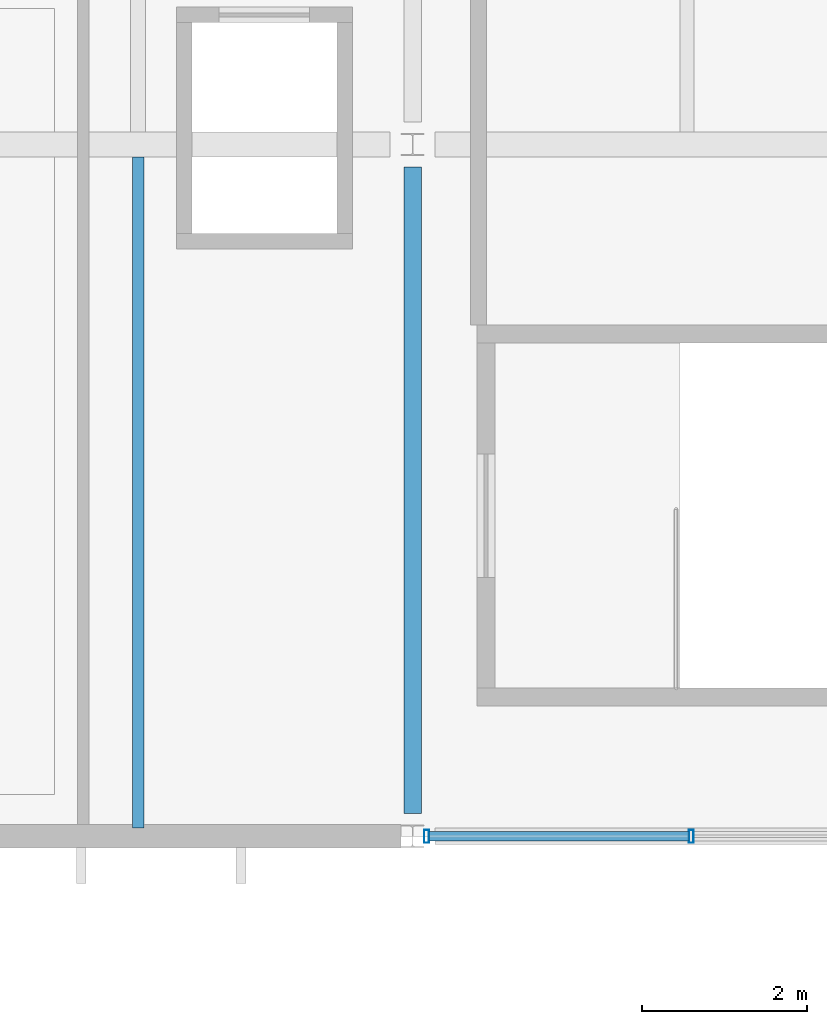
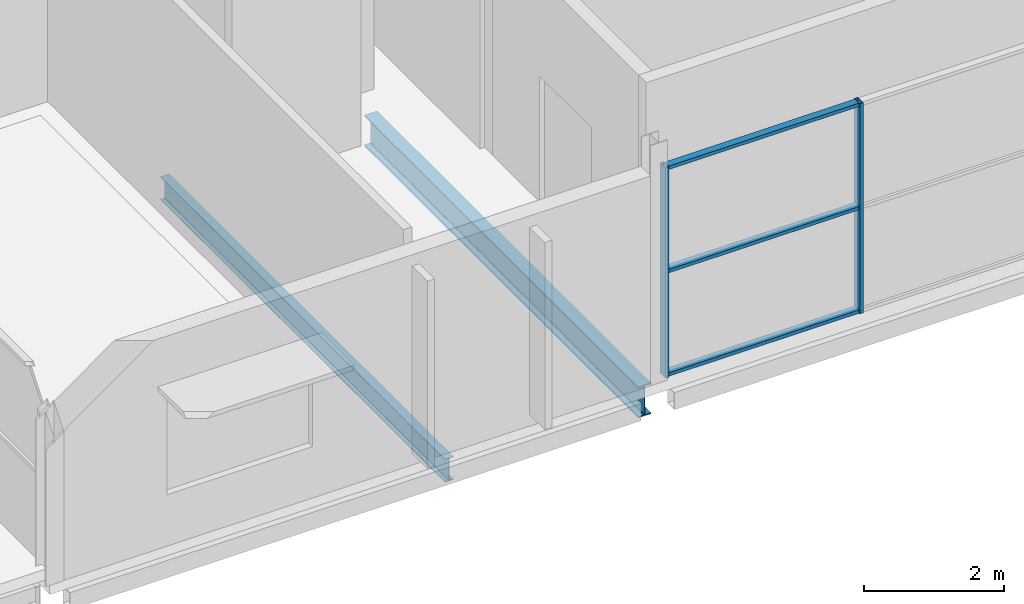
# One storey, part 91 of 161: 5 members, 2 beams, 1 element without a shape of its own.
"""IFC4 building model written with IfcOpenShell, lengths in metres."""

import ifcopenshell
import ifcopenshell.guid

model = None  # the IFC model being written
_history = None  # IfcOwnerHistory: only IFC2X3 demands one
_inside = {}  # id of a spatial element -> (the spatial element, [elements in it])
_under = {}  # id of a project, library or spatial element -> (it, [spatial elements below it])
_declared = {}  # id of a project -> (the project, [libraries it declares])
_typed = {}  # id of a type object -> (the type object, [elements of that type])
_made_of = {}  # id of a material, layer set ... -> (it, [elements and type objects made of it])


def new_model(schema):
    """Start an empty IFC model of exactly this schema.

    Asked for "IFC4X3", IfcOpenShell would pick the latest addendum, in which some entities
    have other attributes; the version numbers below select the first issue.
    IFC2X3 requires an IfcOwnerHistory on every rooted entity: one is made here for all.
    """
    global model, _history
    if schema == "IFC4X3":
        model = ifcopenshell.file(schema_version=(4, 3, 0, 0))
    else:
        model = ifcopenshell.file(schema=schema)
    _inside.clear()
    _under.clear()
    _declared.clear()
    _typed.clear()
    _made_of.clear()
    _history = None
    if model.schema == "IFC2X3":
        org = make("IfcOrganization", Name="unknown")
        user = make(
            "IfcPersonAndOrganization",
            ThePerson=make("IfcPerson", FamilyName="unknown"),
            TheOrganization=org,
        )
        app = make(
            "IfcApplication",
            ApplicationDeveloper=org,
            Version="unknown",
            ApplicationFullName="unknown",
            ApplicationIdentifier="unknown",
        )
        _history = make(
            "IfcOwnerHistory",
            OwningUser=user,
            OwningApplication=app,
            ChangeAction="ADDED",
            CreationDate=0,
        )
    return model


def make(cls, **values):
    """One entity of the class cls with the attributes given. An attribute that is None is left unset."""
    return model.create_entity(
        cls, **{name: value for name, value in values.items() if value is not None}
    )


def rooted(cls, **values):
    """An entity with a GlobalId (a new one), such as an element, a storey or a relation."""
    return make(cls, GlobalId=ifcopenshell.guid.new(), OwnerHistory=_history, **values)


def si_unit(unit_type, name, prefix=None):
    """IfcSIUnit, for example si_unit("LENGTHUNIT", "METRE", prefix="MILLI")."""
    return make("IfcSIUnit", UnitType=unit_type, Prefix=prefix, Name=name)


def assignment(units):
    """IfcUnitAssignment: the units of a project."""
    return None if units is None else make("IfcUnitAssignment", Units=units)


def point(xyz):
    """IfcCartesianPoint."""
    return None if xyz is None else make("IfcCartesianPoint", Coordinates=xyz)


def direction(xyz):
    """IfcDirection."""
    return None if xyz is None else make("IfcDirection", DirectionRatios=xyz)


def frame(location, z_axis=None, x_axis=None):
    """IfcAxis2Placement3D, a coordinate frame: its origin and axes. An axis left out is left unset."""
    return make(
        "IfcAxis2Placement3D",
        Location=point(location),
        Axis=direction(z_axis),
        RefDirection=direction(x_axis),
    )


def frame_2d(location, x_axis=None):
    """IfcAxis2Placement2D, a coordinate frame in the plane: its origin and x axis."""
    return make(
        "IfcAxis2Placement2D", Location=point(location), RefDirection=direction(x_axis)
    )


def origin():
    """The frame at (0, 0, 0) with its axes left unset."""
    return frame((0.0, 0.0, 0.0))


def origin_2d():
    """The frame at (0, 0) in the plane with its x axis left unset."""
    return frame_2d((0.0, 0.0))


def place(relative_to, where):
    """IfcLocalPlacement: puts the frame where relative to a parent placement (None: the world)."""
    return make(
        "IfcLocalPlacement", PlacementRelTo=relative_to, RelativePlacement=where
    )


def context(
    kind, dimensions, precision=None, world=None, true_north=None, identifier=None
):
    """IfcGeometricRepresentationContext, for example the 3D "Model" context."""
    return make(
        "IfcGeometricRepresentationContext",
        ContextIdentifier=identifier,
        ContextType=kind,
        CoordinateSpaceDimension=dimensions,
        Precision=precision,
        WorldCoordinateSystem=world,
        TrueNorth=true_north,
    )


def subcontext(parent, identifier, kind, view, scale=None):
    """IfcGeometricRepresentationSubContext, for example "Body" below "Model"."""
    return make(
        "IfcGeometricRepresentationSubContext",
        ContextIdentifier=identifier,
        ContextType=kind,
        ParentContext=parent,
        TargetScale=scale,
        TargetView=view,
    )


def project(units=None, contexts=None):
    """IfcProject with its units and contexts."""
    return rooted(
        "IfcProject",
        Name="project",
        RepresentationContexts=contexts,
        UnitsInContext=assignment(units),
    )


def spatial(cls, under=None, at=None, **own):
    """A site, building, storey or space (cls), placed at a placement, below another one or the project."""
    s = rooted(cls, ObjectPlacement=at, **own)
    if under is not None:
        _under.setdefault(under.id(), (under, []))[1].append(s)
    return s


def profile(cls, at=None, kind="AREA", **sizes):
    """A parametric profile (cls). Its sizes go by their IFC names, for example OverallWidth=200.0."""
    return make(cls, ProfileType=kind, Position=at, **sizes)


def hollow_rectangle(**sizes):
    """IfcRectangleHollowProfileDef."""
    return profile("IfcRectangleHollowProfileDef", **sizes)


def i_section(**sizes):
    """IfcIShapeProfileDef."""
    return profile("IfcIShapeProfileDef", **sizes)


def extrude(swept, where, along, depth):
    """IfcExtrudedAreaSolid: the profile swept, set in the frame where, extruded along a direction by depth."""
    return make(
        "IfcExtrudedAreaSolid",
        SweptArea=swept,
        Position=where,
        ExtrudedDirection=direction(along),
        Depth=depth,
    )


def shape(context_of_items, identifier, shape_type, items):
    """IfcShapeRepresentation: the items that make up one representation, for example the "Body"."""
    return make(
        "IfcShapeRepresentation",
        ContextOfItems=context_of_items,
        RepresentationIdentifier=identifier,
        RepresentationType=shape_type,
        Items=items,
    )


def material(Name=None, Category=None):
    """IfcMaterial."""
    return make("IfcMaterial", Name=Name, Category=Category)


def material_profile(
    of_material, cross_section, Name=None, Category=None, Priority=None
):
    """IfcMaterialProfile: a cross section and its material."""
    return make(
        "IfcMaterialProfile",
        Name=Name,
        Material=of_material,
        Profile=cross_section,
        Priority=Priority,
        Category=Category,
    )


def profile_set(profiles, Name=None, composite=None):
    """IfcMaterialProfileSet."""
    return make(
        "IfcMaterialProfileSet",
        Name=Name,
        MaterialProfiles=profiles,
        CompositeProfile=composite,
    )


def made_of(thing, what):
    """Note that an element or type object is made of a material, layer set ...; save() writes the relation."""
    if what is not None:
        _made_of.setdefault(what.id(), (what, []))[1].append(thing)
    return thing


def type_object(cls, material=None, **own):
    """A type object (cls), such as IfcWallType, which elements share."""
    return made_of(rooted(cls, **own), material)


def element(
    cls,
    number,
    at=None,
    inside=None,
    cuts=None,
    type_object=None,
    material=None,
    context=None,
    identifier="Body",
    shape_type=None,
    held_by="IfcProductDefinitionShape",
    body=None,
    shapes=None,
    **own,
):
    """One element of the class cls, such as IfcWall. Its Tag is "e" and its number.

    at: its placement. inside: the storey or other place that contains it. cuts: it is an
    opening in that element (IfcRelVoidsElement). A single representation is given by context,
    identifier, shape_type and body (its items); several are given by shapes. held_by: the class
    of the entity that holds the representations. save() writes the other relations.
    """
    e = rooted(cls, Tag="e%d" % number, ObjectPlacement=at, **own)
    if body is not None:
        shapes = [shape(context, identifier, shape_type, body)]
    if shapes is not None:
        e.Representation = make(held_by, Representations=shapes)
    if inside is not None:
        _inside.setdefault(inside.id(), (inside, []))[1].append(e)
    if cuts is not None:
        rooted(
            "IfcRelVoidsElement", RelatingBuildingElement=cuts, RelatedOpeningElement=e
        )
    if type_object is not None:
        _typed.setdefault(type_object.id(), (type_object, []))[1].append(e)
    return made_of(e, material)


def aggregate(whole, parts):
    """IfcRelAggregates: a whole, such as a stair, and the parts it consists of."""
    return rooted("IfcRelAggregates", RelatingObject=whole, RelatedObjects=parts)


def save(model, path):
    """Write the relations noted so far, then the file.

    IfcRelAggregates (storeys below a building ...), IfcRelContainedInSpatialStructure (elements
    in a storey), IfcRelDefinesByType, IfcRelAssociatesMaterial and IfcRelDeclares: one each for
    every whole, place, type object, material and project.
    """
    for whole, parts in _under.values():
        aggregate(whole, parts)
    for where, things in _inside.values():
        rooted(
            "IfcRelContainedInSpatialStructure",
            RelatedElements=things,
            RelatingStructure=where,
        )
    for kind, things in _typed.values():
        rooted("IfcRelDefinesByType", RelatedObjects=things, RelatingType=kind)
    for what, things in _made_of.values():
        rooted("IfcRelAssociatesMaterial", RelatedObjects=things, RelatingMaterial=what)
    for by, libraries in _declared.values():
        rooted("IfcRelDeclares", RelatingContext=by, RelatedDefinitions=libraries)
    model.write(path)


model = new_model("IFC4")

# Units and contexts
model_context = context("Model", 3, precision=1e-05, world=origin(), true_north=direction((0.0, 1.0)))
body_context = subcontext(model_context, "Body", "Model", "MODEL_VIEW")
ifc_project = project(units=[si_unit("LENGTHUNIT", "METRE"), si_unit("AREAUNIT", "SQUARE_METRE"), si_unit("VOLUMEUNIT", "CUBIC_METRE"), si_unit("PLANEANGLEUNIT", "RADIAN"), si_unit("MASSUNIT", "GRAM", prefix="KILO"), si_unit("THERMODYNAMICTEMPERATUREUNIT", "KELVIN")], contexts=[model_context])

# Site, building, storey
site_placement = place(None, origin())
site = spatial("IfcSite", under=ifc_project, at=site_placement, CompositionType="ELEMENT")
building_placement = place(site_placement, origin())
building = spatial("IfcBuilding", under=site, at=building_placement, Name="Nduvali Passage Aquatics Centre", CompositionType="ELEMENT")
storey_placement = place(building_placement, frame((0.0, 0.0, 4.800048828125)))
storey = spatial("IfcBuildingStorey", under=building, at=storey_placement, Name="L01", CompositionType="ELEMENT", Elevation=4.800048828125)

# Curtain wall, members
ifc_material_1 = material(Name="Aluminium EN AW-6063 T6", Category="aluminium")
curtain_wall_type = type_object("IfcCurtainWallType", Name="ENV-CW-PASS", PredefinedType="NOTDEFINED", material=ifc_material_1)
curtain_wall_placement = place(storey_placement, origin())
curtain_wall = element("IfcCurtainWall", 1, at=curtain_wall_placement, inside=storey, type_object=curtain_wall_type, Name="L01 South Pavilion Upper CW 092", PredefinedType="NOTDEFINED")
ifc_material_profile_1 = material_profile(ifc_material_1, hollow_rectangle(XDim=0.06005859375, YDim=0.159912109375, WallThickness=0.00390625, at=origin_2d()), Name="ALU MULLION 60x160x4")
ifc_profile_set_1 = profile_set([ifc_material_profile_1], Name="Aluminium EN AW-6063 T6")
member_type_1 = type_object("IfcMemberType", Name="ENV-MEM-MUL60", PredefinedType="MULLION", material=ifc_profile_set_1)
member_1_placement = place(storey_placement, frame((148.169921875, 25.199951171875, 0.0), z_axis=(0.0, 0.0, 1.0), x_axis=(1.0, 0.0, 0.0)))
member_1 = element("IfcMember", 2, at=member_1_placement, type_object=member_type_1, Name="South Pavilion Upper CW Mullion 1", PredefinedType="MULLION", context=body_context, shape_type="SweptSolid", body=[
    extrude(hollow_rectangle(XDim=0.06005859375, YDim=0.159912109375, WallThickness=0.00390625, at=origin_2d()), origin(), (0.0, 0.0, 1.0), 3.676025390625),
])
member_2_placement = place(storey_placement, frame((151.384033203125, 25.199951171875, 0.0), z_axis=(0.0, 0.0, 1.0), x_axis=(1.0, 0.0, 0.0)))
member_2 = element("IfcMember", 3, at=member_2_placement, type_object=member_type_1, Name="South Pavilion Upper CW Mullion 2", PredefinedType="MULLION", context=body_context, shape_type="SweptSolid", body=[
    extrude(hollow_rectangle(XDim=0.06005859375, YDim=0.159912109375, WallThickness=0.00390625, at=origin_2d()), origin(), (0.0, 0.0, 1.0), 3.676025390625),
])
ifc_material_profile_2 = material_profile(ifc_material_1, hollow_rectangle(XDim=0.1201171875, YDim=0.06005859375, WallThickness=0.00390625, at=origin_2d()), Name="ALU TRANSOM 120x60x4")
ifc_profile_set_2 = profile_set([ifc_material_profile_2], Name="Aluminium EN AW-6063 T6")
member_type_2 = type_object("IfcMemberType", Name="ENV-MEM-TRN60", PredefinedType="USERDEFINED", material=ifc_profile_set_2)
member_3_placement = place(storey_placement, frame((148.199951171875, 25.199951171875, 0.030029296875), z_axis=(1.0, 0.0, 0.0), x_axis=(0.0, 1.0, 0.0)))
member_3 = element("IfcMember", 4, at=member_3_placement, type_object=member_type_2, Name="South Pavilion Upper CW Transom B1-R0", ObjectType="TRANSOM", PredefinedType="USERDEFINED", context=body_context, shape_type="SweptSolid", body=[
    extrude(hollow_rectangle(XDim=0.1201171875, YDim=0.06005859375, WallThickness=0.00390625, at=origin_2d()), origin(), (0.0, 0.0, 1.0), 3.154052734375),
])
member_4_placement = place(storey_placement, frame((148.199951171875, 25.199951171875, 1.837890625), z_axis=(1.0, 0.0, 0.0), x_axis=(0.0, 1.0, 0.0)))
member_4 = element("IfcMember", 5, at=member_4_placement, type_object=member_type_2, Name="South Pavilion Upper CW Transom B1-R1", ObjectType="TRANSOM", PredefinedType="USERDEFINED", context=body_context, shape_type="SweptSolid", body=[
    extrude(hollow_rectangle(XDim=0.1201171875, YDim=0.06005859375, WallThickness=0.00390625, at=origin_2d()), origin(), (0.0, 0.0, 1.0), 3.154052734375),
])
member_5_placement = place(storey_placement, frame((148.199951171875, 25.199951171875, 3.64599609375), z_axis=(1.0, 0.0, 0.0), x_axis=(0.0, 1.0, 0.0)))
member_5 = element("IfcMember", 6, at=member_5_placement, type_object=member_type_2, Name="South Pavilion Upper CW Transom B1-R2", ObjectType="TRANSOM", PredefinedType="USERDEFINED", context=body_context, shape_type="SweptSolid", body=[
    extrude(hollow_rectangle(XDim=0.1201171875, YDim=0.06005859375, WallThickness=0.00390625, at=origin_2d()), origin(), (0.0, 0.0, 1.0), 3.154052734375),
])
aggregate(curtain_wall, [member_1, member_2, member_3, member_4, member_5])

# Beams
ifc_material_2 = material(Name="Steel S355", Category="steel")
ifc_material_profile_3 = material_profile(ifc_material_2, i_section(OverallWidth=0.210693359375, OverallDepth=0.53955078125, WebThickness=0.01171875, FlangeThickness=0.018798828125, FilletRadius=0.0126953125, at=origin_2d()), Name="UKB 533x210x109")
ifc_profile_set_3 = profile_set([ifc_material_profile_3], Name="Steel S355")
beam_type_1 = type_object("IfcBeamType", Name="STR-BM-UKB533", PredefinedType="BEAM", material=ifc_profile_set_3)
beam_1_placement = place(storey_placement, frame((148.0, 25.47509765625, -0.553955078125), z_axis=(0.0, 1.0, 0.0), x_axis=(-1.0, 0.0, 0.0)))
element("IfcBeam", 7, at=beam_1_placement, inside=storey, type_object=beam_type_1, Name="L01 Primary Y-Girder B6-0666", PredefinedType="BEAM", context=body_context, shape_type="SweptSolid", body=[
    extrude(i_section(OverallWidth=0.210693359375, OverallDepth=0.53955078125, WebThickness=0.01171875, FlangeThickness=0.018798828125, FilletRadius=0.0126953125, at=origin_2d()), origin(), (0.0, 0.0, 1.0), 7.849853515625),
])
ifc_material_profile_4 = material_profile(ifc_material_2, i_section(OverallWidth=0.14208984375, OverallDepth=0.4033203125, WebThickness=0.0068359375, FlangeThickness=0.01123046875, FilletRadius=0.01025390625, at=origin_2d()), Name="UKB 406x140x46")
ifc_profile_set_4 = profile_set([ifc_material_profile_4], Name="Steel S355")
beam_type_2 = type_object("IfcBeamType", Name="STR-JST-UKB406L", PredefinedType="JOIST", material=ifc_profile_set_4)
beam_2_placement = place(storey_placement, frame((144.666748046875, 25.300048828125, -0.485595703125), z_axis=(0.0, 1.0, 0.0), x_axis=(-1.0, 0.0, 0.0)))
element("IfcBeam", 8, at=beam_2_placement, inside=storey, type_object=beam_type_2, Name="L01 Secondary Joist J1B-0745", PredefinedType="JOIST", context=body_context, shape_type="SweptSolid", body=[
    extrude(i_section(OverallWidth=0.14208984375, OverallDepth=0.4033203125, WebThickness=0.0068359375, FlangeThickness=0.01123046875, FilletRadius=0.01025390625, at=origin_2d()), origin(), (0.0, 0.0, 1.0), 8.1474609375),
])

save(model, "model.ifc")
